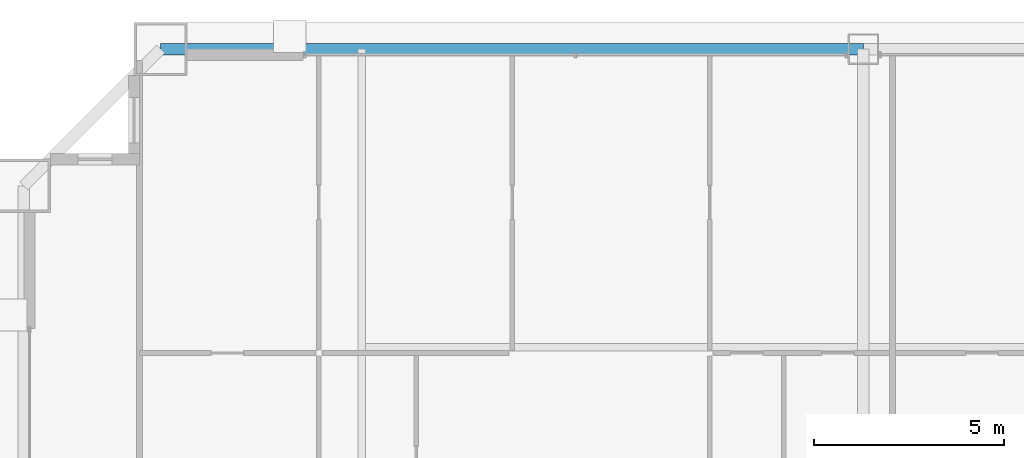
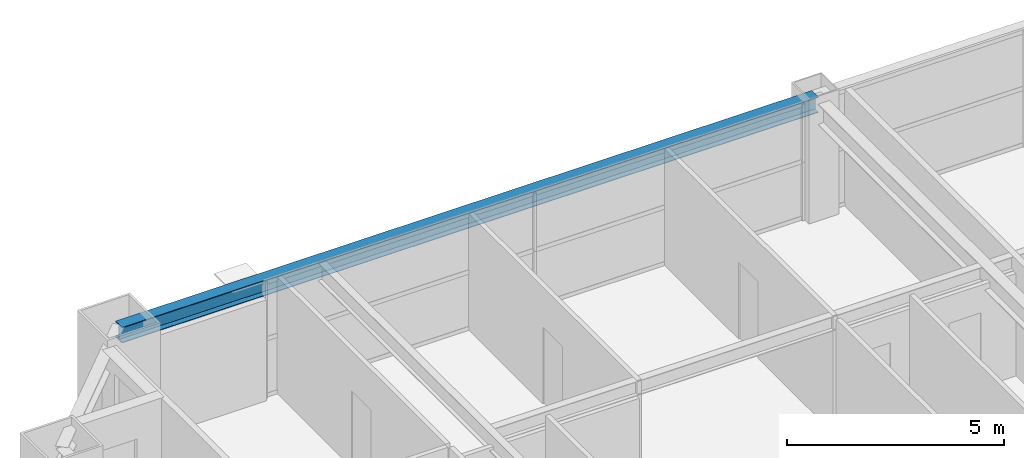
# One storey, part 26 of 38: 1 beam.
"""IFC4 building model written with IfcOpenShell, lengths in metres."""

from ifc_helpers import new_model, si_unit, direction, frame, origin, origin_2d, place, context, subcontext, project, spatial, i_section, extrude, source, transform, mapped, material, material_profile, profile_set, type_object, element, save


model = new_model("IFC4")

# Units and contexts
model_context = context("Model", 3, precision=1e-05, world=origin(), true_north=direction((0.0, 1.0)))
body_context = subcontext(model_context, "Body", "Model", "MODEL_VIEW")
ifc_project = project(units=[si_unit("LENGTHUNIT", "METRE"), si_unit("AREAUNIT", "SQUARE_METRE"), si_unit("VOLUMEUNIT", "CUBIC_METRE"), si_unit("PLANEANGLEUNIT", "RADIAN"), si_unit("MASSUNIT", "GRAM", prefix="KILO"), si_unit("THERMODYNAMICTEMPERATUREUNIT", "KELVIN"), si_unit("POWERUNIT", "WATT")], contexts=[model_context])

# Site, building, storey
site_placement = place(None, origin())
site = spatial("IfcSite", under=ifc_project, at=site_placement, CompositionType="ELEMENT")
building_placement = place(site_placement, origin())
building = spatial("IfcBuilding", under=site, at=building_placement, Name="Yuzanri Waterfront Tower", CompositionType="ELEMENT")
storey_placement = place(building_placement, frame((0.0, 0.0, 195.0)))
storey = spatial("IfcBuildingStorey", under=building, at=storey_placement, Name="L51", CompositionType="ELEMENT", Elevation=195.0)

# Beam
ifc_material = material(Name="Steel Q355B", Category="steel")
ifc_material_profile = material_profile(ifc_material, i_section(OverallWidth=0.300048828125, OverallDepth=0.43994140625, WebThickness=0.010986328125, FlangeThickness=0.01806640625, at=origin_2d()), Name="HM 440x300x11x18")
ifc_profile_set = profile_set([ifc_material_profile], Name="Steel Q355B")
beam_type = type_object("IfcBeamType", Name="Perimeter Spandrel Q355B HM 440x300", PredefinedType="SPANDREL", material=ifc_profile_set)
shared_shape = source(origin(), body_context, "Body", "SweptSolid", [
    extrude(i_section(OverallWidth=0.300048828125, OverallDepth=0.43994140625, WebThickness=0.010986328125, FlangeThickness=0.01806640625, at=origin_2d()), origin(), (0.0, 0.0, 1.0), 18.5),
])
beam_placement = place(storey_placement, frame((37.0, 47.89990234375, 3.06005859375), z_axis=(-1.0, 0.0, 0.0), x_axis=(0.0, -1.0, 0.0)))
element("IfcBeam", 1, at=beam_placement, inside=storey, type_object=beam_type, Name="L51 Perimeter Spandrel N2-N1", PredefinedType="SPANDREL", context=body_context, shape_type="MappedRepresentation", body=[
    mapped(shared_shape, transform((0.0, 0.0, 0.0), scale=1.0)),
])

save(model, "model.ifc")
